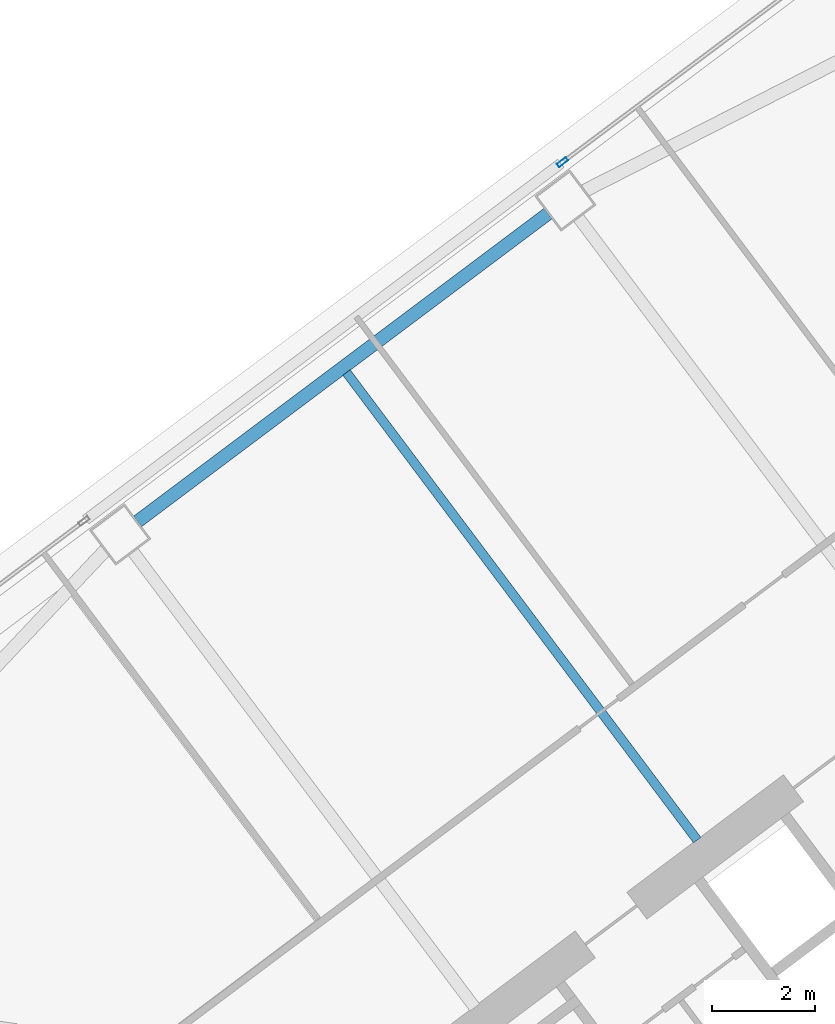
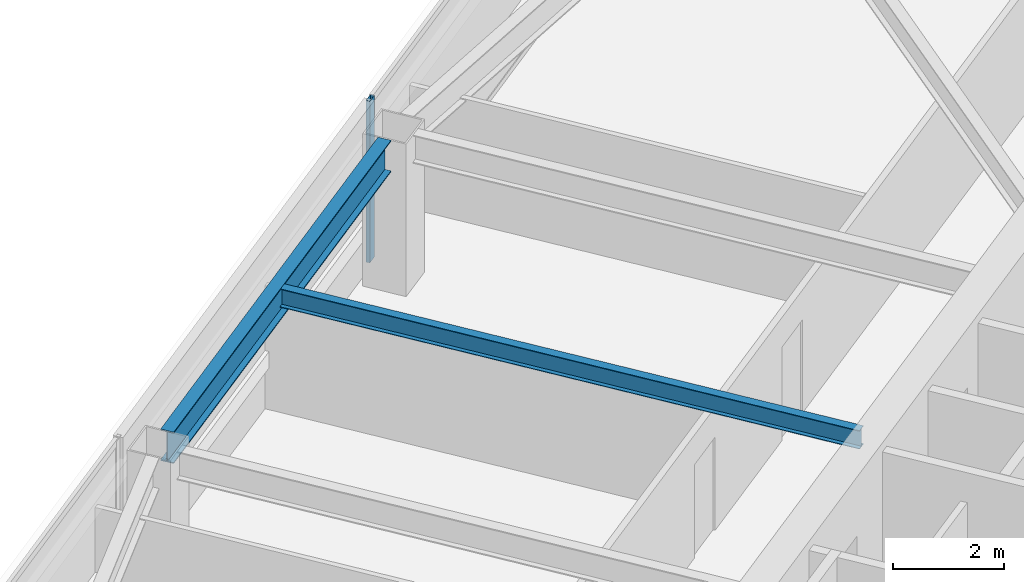
# One storey, part 28 of 44: 2 beams, 1 member, 1 element without a shape of its own.
"""IFC4 building model written with IfcOpenShell, lengths in metres."""

from ifc_helpers import new_model, si_unit, direction, frame, origin, origin_2d, place, context, subcontext, project, spatial, hollow_rectangle, i_section, extrude, material, material_profile, profile_set, type_object, element, aggregate, save


model = new_model("IFC4")

# Units and contexts
model_context = context("Model", 3, precision=1e-05, world=origin(), true_north=direction((0.0, 1.0)))
body_context = subcontext(model_context, "Body", "Model", "MODEL_VIEW")
ifc_project = project(units=[si_unit("LENGTHUNIT", "METRE"), si_unit("AREAUNIT", "SQUARE_METRE"), si_unit("VOLUMEUNIT", "CUBIC_METRE"), si_unit("PLANEANGLEUNIT", "RADIAN"), si_unit("MASSUNIT", "GRAM", prefix="KILO")], contexts=[model_context])

# Site, building, storey
site_placement = place(None, origin())
site = spatial("IfcSite", under=ifc_project, at=site_placement, CompositionType="ELEMENT")
building_placement = place(site_placement, origin())
building = spatial("IfcBuilding", under=site, at=building_placement, Name="Tashvorn Skyway Center", CompositionType="ELEMENT")
storey_placement = place(building_placement, frame((0.0, 0.0, 102.699951171875)))
storey = spatial("IfcBuildingStorey", under=building, at=storey_placement, Name="L27", CompositionType="ELEMENT", Elevation=102.699951171875)

# Beams
ifc_material_1 = material(Name="Steel ASTM A992 Grade 50", Category="steel")
ifc_material_profile_1 = material_profile(ifc_material_1, i_section(OverallWidth=0.177978515625, OverallDepth=0.406005859375, WebThickness=0.0078125, FlangeThickness=0.0126953125, at=origin_2d()), Name="W16X40")
ifc_profile_set_1 = profile_set([ifc_material_profile_1], Name="Steel ASTM A992 Grade 50")
beam_type_1 = type_object("IfcBeamType", Name="BM-JOIST-W16X40", PredefinedType="JOIST", material=ifc_profile_set_1)
beam_1_placement = place(storey_placement, frame((109.325927734375, 38.23193359375, 3.14697265625), z_axis=(-0.599996555327, 0.800002583493, 0.0), x_axis=(-0.800002583493, -0.599996555327, 0.0)))
element("IfcBeam", 1, at=beam_1_placement, inside=storey, type_object=beam_type_1, Name="Tower 2 L27 Secondary Composite Joist JN", PredefinedType="JOIST", context=body_context, shape_type="SweptSolid", body=[
    extrude(i_section(OverallWidth=0.177978515625, OverallDepth=0.406005859375, WebThickness=0.0078125, FlangeThickness=0.0126953125, at=origin_2d()), origin(), (0.0, 0.0, 1.0), 11.340087890625),
])
ifc_material_profile_2 = material_profile(ifc_material_1, i_section(OverallWidth=0.256103515625, OverallDepth=0.693115234375, WebThickness=0.014404296875, FlangeThickness=0.023681640625, at=origin_2d()), Name="W27X114")
ifc_profile_set_2 = profile_set([ifc_material_profile_2], Name="Steel ASTM A992 Grade 50")
beam_type_2 = type_object("IfcBeamType", Name="BM-SPANDREL-W27X114", PredefinedType="SPANDREL", material=ifc_profile_set_2)
beam_2_placement = place(storey_placement, frame((106.43408203125, 50.387939453125, 3.003662109375), z_axis=(-0.800008824351, -0.599988234018, 0.0), x_axis=(0.599988234018, -0.800008824351, 0.0)))
element("IfcBeam", 2, at=beam_2_placement, inside=storey, type_object=beam_type_2, Name="Tower 2 L27 Spandrel Beam 08", PredefinedType="SPANDREL", context=body_context, shape_type="SweptSolid", body=[
    extrude(i_section(OverallWidth=0.256103515625, OverallDepth=0.693115234375, WebThickness=0.014404296875, FlangeThickness=0.023681640625, at=origin_2d()), origin(), (0.0, 0.0, 1.0), 9.9599609375),
])

# Curtain wall, member
ifc_material_2 = material(Name="Thermally broken bronze-anodized aluminium 6063-T6", Category="aluminium")
curtain_wall_type = type_object("IfcCurtainWallType", Name="CW-CW-Z2", PredefinedType="NOTDEFINED", material=ifc_material_2)
curtain_wall_placement = place(storey_placement, origin())
curtain_wall = element("IfcCurtainWall", 3, at=curtain_wall_placement, inside=storey, type_object=curtain_wall_type, Name="Tower 2 L27 North Unitised Curtain Wall Glazing Group 2", PredefinedType="NOTDEFINED")
ifc_material_profile_3 = material_profile(ifc_material_2, hollow_rectangle(XDim=0.080078125, YDim=0.219970703125, WallThickness=0.0048828125, at=origin_2d()), Name="ALU-MULL-80x220")
ifc_profile_set_3 = profile_set([ifc_material_profile_3], Name="Thermally broken bronze-anodized aluminium 6063-T6")
member_type = type_object("IfcMemberType", Name="CWM-CW-Z2", PredefinedType="MULLION", material=ifc_profile_set_3)
member_placement = place(storey_placement, frame((106.7119140625, 51.384033203125, 0.0), z_axis=(0.0, 0.0, 1.0), x_axis=(-0.600000000002, 0.799999999998, 0.0)))
member = element("IfcMember", 4, at=member_placement, type_object=member_type, Name="CW-Z2 mullion 1", PredefinedType="MULLION", context=body_context, shape_type="SweptSolid", body=[
    extrude(hollow_rectangle(XDim=0.080078125, YDim=0.219970703125, WallThickness=0.0048828125, at=origin_2d()), origin(), (0.0, 0.0, 1.0), 3.550048828125),
])
aggregate(curtain_wall, [member])

save(model, "model.ifc")
